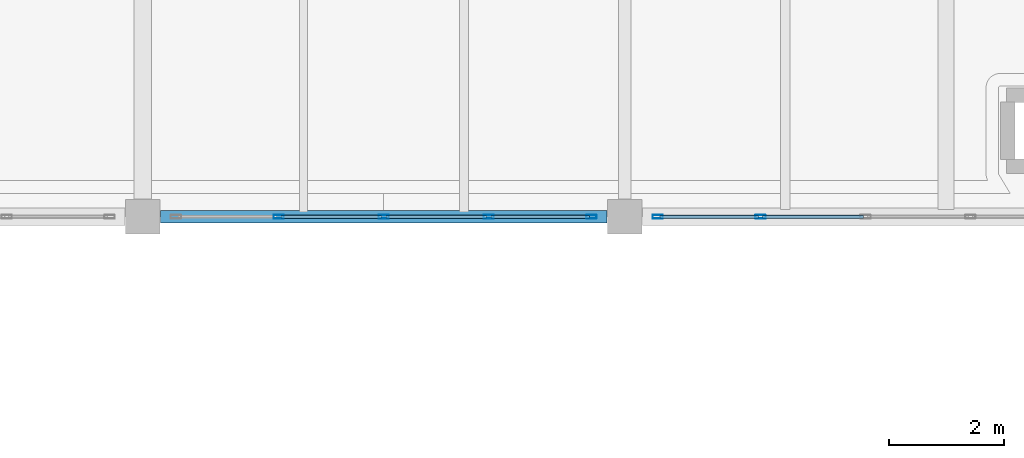
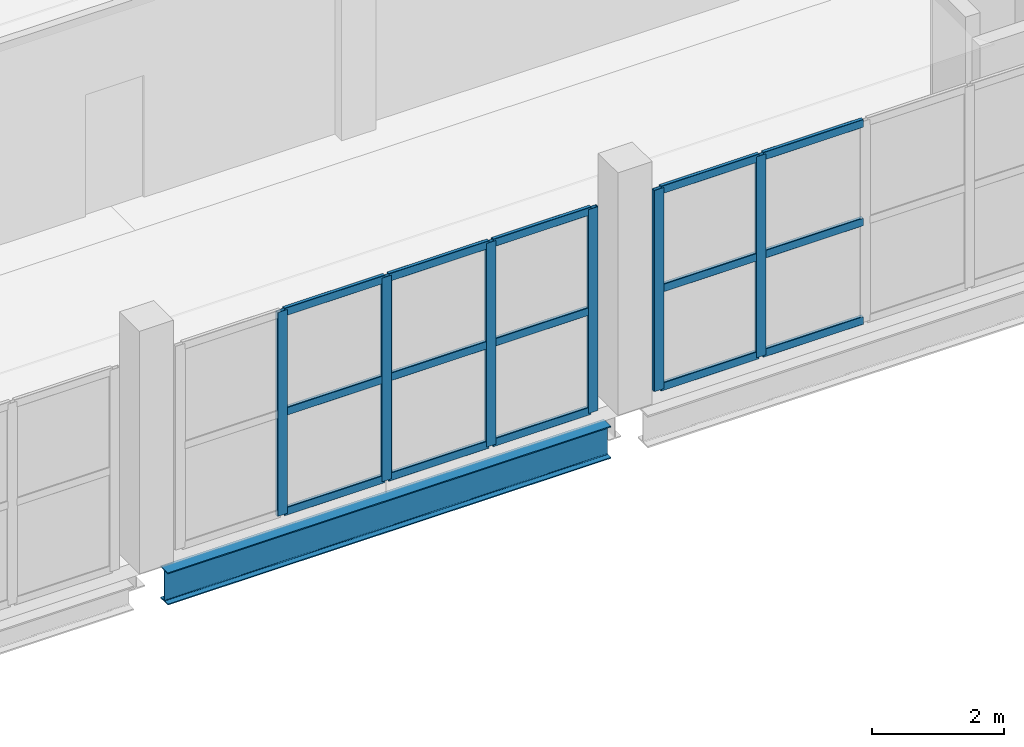
# One storey, part 31 of 54: 21 members, 1 beam, 2 elements without a shape of their own.
"""IFC4 building model written with IfcOpenShell, lengths in metres."""

from ifc_helpers import new_model, si_unit, direction, frame, origin, origin_2d, place, context, subcontext, project, spatial, hollow_rectangle, i_section, extrude, material, layer, layer_set, material_profile, profile_set, type_object, element, aggregate, save


model = new_model("IFC4")

# Units and contexts
model_context = context("Model", 3, precision=1e-05, world=origin(), true_north=direction((0.0, 1.0)))
body_context = subcontext(model_context, "Body", "Model", "MODEL_VIEW")
ifc_project = project(units=[si_unit("LENGTHUNIT", "METRE"), si_unit("AREAUNIT", "SQUARE_METRE"), si_unit("VOLUMEUNIT", "CUBIC_METRE"), si_unit("PLANEANGLEUNIT", "RADIAN"), si_unit("MASSUNIT", "GRAM", prefix="KILO")], contexts=[model_context])

# Site, building, storey
site_placement = place(None, origin())
site = spatial("IfcSite", under=ifc_project, at=site_placement, CompositionType="ELEMENT")
building_placement = place(site_placement, origin())
building = spatial("IfcBuilding", under=site, at=building_placement, Name="Zulmaris Art Gallery", CompositionType="ELEMENT")
storey_placement = place(building_placement, frame((0.0, 0.0, 26.39990234375)))
storey = spatial("IfcBuildingStorey", under=building, at=storey_placement, Name="L05", CompositionType="ELEMENT", Elevation=26.39990234375)

# Beam
ifc_material_1 = material(Name="Steel S355J2", Category="steel")
ifc_material_profile_1 = material_profile(ifc_material_1, i_section(OverallWidth=0.219970703125, OverallDepth=0.60009765625, WebThickness=0.011962890625, FlangeThickness=0.01904296875, FilletRadius=0.02392578125, at=origin_2d()), Name="IPE 600")
ifc_profile_set_1 = profile_set([ifc_material_profile_1], Name="Steel S355J2")
beam_type = type_object("IfcBeamType", Name="BEAM-BM07", PredefinedType="BEAM", material=ifc_profile_set_1)
beam_placement = place(storey_placement, frame((167.110107421875, 58.800048828125, -0.60986328125), z_axis=(1.0, 0.0, 0.0), x_axis=(0.0, 1.0, 0.0)))
element("IfcBeam", 1, at=beam_placement, inside=storey, type_object=beam_type, Name="L05 X-girder (166.8..175.2, y=58.8)", PredefinedType="BEAM", context=body_context, shape_type="SweptSolid", body=[
    extrude(i_section(OverallWidth=0.219970703125, OverallDepth=0.60009765625, WebThickness=0.011962890625, FlangeThickness=0.01904296875, FilletRadius=0.02392578125, at=origin_2d()), origin(), (0.0, 0.0, 1.0), 7.77978515625),
])

# Curtain wall, members
ifc_material_2 = material(Name="Courtyard Artists Studio Curtain Wall", Category="aluminium")
ifc_layer = layer(ifc_material_2, 0.179931640625)
ifc_layer_set = layer_set([ifc_layer], Name="Courtyard Artists Studio Curtain Wall")
curtain_wall_type = type_object("IfcCurtainWallType", Name="CW-CW04", PredefinedType="NOTDEFINED", material=ifc_layer_set)
curtain_wall_1_placement = place(storey_placement, origin())
curtain_wall_1 = element("IfcCurtainWall", 2, at=curtain_wall_1_placement, inside=storey, type_object=curtain_wall_type, Name="L05 curtain wall 169", PredefinedType="NOTDEFINED")
ifc_material_3 = material(Name="Anodised Bronze Aluminium", Category="aluminium")
ifc_material_profile_2 = material_profile(ifc_material_3, hollow_rectangle(XDim=0.06494140625, YDim=0.179931640625, WallThickness=0.00390625, InnerFilletRadius=0.006103515625, OuterFilletRadius=0.010009765625, at=origin_2d()), Name="ALU 65x180x4")
ifc_profile_set_2 = profile_set([ifc_material_profile_2], Name="Anodised Bronze Aluminium")
member_type_1 = type_object("IfcMemberType", Name="CWMUL-01", PredefinedType="MULLION", material=ifc_profile_set_2)
member_1_placement = place(storey_placement, frame((174.62255859375, 58.800048828125, 0.0), z_axis=(0.0, 0.0, 1.0), x_axis=(0.0, -1.0, 0.0)))
member_1 = element("IfcMember", 3, at=member_1_placement, type_object=member_type_1, Name="CW04 mullion 1", PredefinedType="MULLION", context=body_context, shape_type="SweptSolid", body=[
    extrude(hollow_rectangle(XDim=0.06494140625, YDim=0.179931640625, WallThickness=0.00390625, InnerFilletRadius=0.006103515625, OuterFilletRadius=0.010009765625, at=origin_2d()), origin(), (0.0, 0.0, 1.0), 3.780029296875),
])
member_2_placement = place(storey_placement, frame((172.830078125, 58.800048828125, 0.0), z_axis=(0.0, 0.0, 1.0), x_axis=(0.0, -1.0, 0.0)))
member_2 = element("IfcMember", 4, at=member_2_placement, type_object=member_type_1, Name="CW04 mullion 2", PredefinedType="MULLION", context=body_context, shape_type="SweptSolid", body=[
    extrude(hollow_rectangle(XDim=0.06494140625, YDim=0.179931640625, WallThickness=0.00390625, InnerFilletRadius=0.006103515625, OuterFilletRadius=0.010009765625, at=origin_2d()), origin(), (0.0, 0.0, 1.0), 3.780029296875),
])
member_3_placement = place(storey_placement, frame((171.0, 58.800048828125, 0.0), z_axis=(0.0, 0.0, 1.0), x_axis=(0.0, -1.0, 0.0)))
member_3 = element("IfcMember", 5, at=member_3_placement, type_object=member_type_1, Name="CW04 mullion 3", PredefinedType="MULLION", context=body_context, shape_type="SweptSolid", body=[
    extrude(hollow_rectangle(XDim=0.06494140625, YDim=0.179931640625, WallThickness=0.00390625, InnerFilletRadius=0.006103515625, OuterFilletRadius=0.010009765625, at=origin_2d()), origin(), (0.0, 0.0, 1.0), 3.780029296875),
])
member_4_placement = place(storey_placement, frame((169.169921875, 58.800048828125, 0.0), z_axis=(0.0, 0.0, 1.0), x_axis=(0.0, -1.0, 0.0)))
member_4 = element("IfcMember", 6, at=member_4_placement, type_object=member_type_1, Name="CW04 mullion 4", PredefinedType="MULLION", context=body_context, shape_type="SweptSolid", body=[
    extrude(hollow_rectangle(XDim=0.06494140625, YDim=0.179931640625, WallThickness=0.00390625, InnerFilletRadius=0.006103515625, OuterFilletRadius=0.010009765625, at=origin_2d()), origin(), (0.0, 0.0, 1.0), 3.780029296875),
])

curtain_wall_2_placement = place(storey_placement, origin())
curtain_wall_2 = element("IfcCurtainWall", 7, at=curtain_wall_2_placement, inside=storey, type_object=curtain_wall_type, Name="L05 curtain wall 170", PredefinedType="NOTDEFINED")
member_5_placement = place(storey_placement, frame((177.570068359375, 58.800048828125, 0.0), z_axis=(0.0, 0.0, 1.0), x_axis=(0.0, -1.0, 0.0)))
member_5 = element("IfcMember", 8, at=member_5_placement, type_object=member_type_1, Name="CW04 mullion 4", PredefinedType="MULLION", context=body_context, shape_type="SweptSolid", body=[
    extrude(hollow_rectangle(XDim=0.06494140625, YDim=0.179931640625, WallThickness=0.00390625, InnerFilletRadius=0.006103515625, OuterFilletRadius=0.010009765625, at=origin_2d()), origin(), (0.0, 0.0, 1.0), 3.72998046875),
])
member_6_placement = place(storey_placement, frame((175.777587890625, 58.800048828125, 0.0), z_axis=(0.0, 0.0, 1.0), x_axis=(0.0, -1.0, 0.0)))
member_6 = element("IfcMember", 9, at=member_6_placement, type_object=member_type_1, Name="CW04 mullion 5", PredefinedType="MULLION", context=body_context, shape_type="SweptSolid", body=[
    extrude(hollow_rectangle(XDim=0.06494140625, YDim=0.179931640625, WallThickness=0.00390625, InnerFilletRadius=0.006103515625, OuterFilletRadius=0.010009765625, at=origin_2d()), origin(), (0.0, 0.0, 1.0), 3.72998046875),
])

# Member
ifc_material_profile_3 = material_profile(ifc_material_3, hollow_rectangle(XDim=0.06494140625, YDim=0.14990234375, WallThickness=0.00390625, InnerFilletRadius=0.006103515625, OuterFilletRadius=0.010009765625, at=origin_2d()), Name="ALU 65x150x4")
ifc_profile_set_3 = profile_set([ifc_material_profile_3], Name="Anodised Bronze Aluminium")
member_type_2 = type_object("IfcMemberType", Name="CWTRN-01", PredefinedType="USERDEFINED", material=ifc_profile_set_3)
member_7_placement = place(storey_placement, frame((174.5849609375, 58.800048828125, 0.03759765625), z_axis=(-1.0, 0.0, 0.0), x_axis=(0.0, -1.0, 0.0)))
member_7 = element("IfcMember", 10, at=member_7_placement, type_object=member_type_2, Name="CW04 transom 1.1", ObjectType="TRANSOM", PredefinedType="USERDEFINED", context=body_context, shape_type="SweptSolid", body=[
    extrude(hollow_rectangle(XDim=0.06494140625, YDim=0.14990234375, WallThickness=0.00390625, InnerFilletRadius=0.006103515625, OuterFilletRadius=0.010009765625, at=origin_2d()), origin(), (0.0, 0.0, 1.0), 1.717529296875),
])

member_8_placement = place(storey_placement, frame((174.5849609375, 58.800048828125, 1.89013671875), z_axis=(-1.0, 0.0, 0.0), x_axis=(0.0, -1.0, 0.0)))
member_8 = element("IfcMember", 11, at=member_8_placement, type_object=member_type_2, Name="CW04 transom 1.2", ObjectType="TRANSOM", PredefinedType="USERDEFINED", context=body_context, shape_type="SweptSolid", body=[
    extrude(hollow_rectangle(XDim=0.06494140625, YDim=0.14990234375, WallThickness=0.00390625, InnerFilletRadius=0.006103515625, OuterFilletRadius=0.010009765625, at=origin_2d()), origin(), (0.0, 0.0, 1.0), 1.717529296875),
])

member_9_placement = place(storey_placement, frame((174.5849609375, 58.800048828125, 3.74267578125), z_axis=(-1.0, 0.0, 0.0), x_axis=(0.0, -1.0, 0.0)))
member_9 = element("IfcMember", 12, at=member_9_placement, type_object=member_type_2, Name="CW04 transom 1.3", ObjectType="TRANSOM", PredefinedType="USERDEFINED", context=body_context, shape_type="SweptSolid", body=[
    extrude(hollow_rectangle(XDim=0.06494140625, YDim=0.14990234375, WallThickness=0.00390625, InnerFilletRadius=0.006103515625, OuterFilletRadius=0.010009765625, at=origin_2d()), origin(), (0.0, 0.0, 1.0), 1.717529296875),
])

member_10_placement = place(storey_placement, frame((172.79248046875, 58.800048828125, 0.03759765625), z_axis=(-1.0, 0.0, 0.0), x_axis=(0.0, -1.0, 0.0)))
member_10 = element("IfcMember", 13, at=member_10_placement, type_object=member_type_2, Name="CW04 transom 2.1", ObjectType="TRANSOM", PredefinedType="USERDEFINED", context=body_context, shape_type="SweptSolid", body=[
    extrude(hollow_rectangle(XDim=0.06494140625, YDim=0.14990234375, WallThickness=0.00390625, InnerFilletRadius=0.006103515625, OuterFilletRadius=0.010009765625, at=origin_2d()), origin(), (0.0, 0.0, 1.0), 1.7548828125),
])

member_11_placement = place(storey_placement, frame((172.79248046875, 58.800048828125, 1.89013671875), z_axis=(-1.0, 0.0, 0.0), x_axis=(0.0, -1.0, 0.0)))
member_11 = element("IfcMember", 14, at=member_11_placement, type_object=member_type_2, Name="CW04 transom 2.2", ObjectType="TRANSOM", PredefinedType="USERDEFINED", context=body_context, shape_type="SweptSolid", body=[
    extrude(hollow_rectangle(XDim=0.06494140625, YDim=0.14990234375, WallThickness=0.00390625, InnerFilletRadius=0.006103515625, OuterFilletRadius=0.010009765625, at=origin_2d()), origin(), (0.0, 0.0, 1.0), 1.7548828125),
])

member_12_placement = place(storey_placement, frame((172.79248046875, 58.800048828125, 3.74267578125), z_axis=(-1.0, 0.0, 0.0), x_axis=(0.0, -1.0, 0.0)))
member_12 = element("IfcMember", 15, at=member_12_placement, type_object=member_type_2, Name="CW04 transom 2.3", ObjectType="TRANSOM", PredefinedType="USERDEFINED", context=body_context, shape_type="SweptSolid", body=[
    extrude(hollow_rectangle(XDim=0.06494140625, YDim=0.14990234375, WallThickness=0.00390625, InnerFilletRadius=0.006103515625, OuterFilletRadius=0.010009765625, at=origin_2d()), origin(), (0.0, 0.0, 1.0), 1.7548828125),
])

member_13_placement = place(storey_placement, frame((170.96240234375, 58.800048828125, 0.03759765625), z_axis=(-1.0, 0.0, 0.0), x_axis=(0.0, -1.0, 0.0)))
member_13 = element("IfcMember", 16, at=member_13_placement, type_object=member_type_2, Name="CW04 transom 3.1", ObjectType="TRANSOM", PredefinedType="USERDEFINED", context=body_context, shape_type="SweptSolid", body=[
    extrude(hollow_rectangle(XDim=0.06494140625, YDim=0.14990234375, WallThickness=0.00390625, InnerFilletRadius=0.006103515625, OuterFilletRadius=0.010009765625, at=origin_2d()), origin(), (0.0, 0.0, 1.0), 1.7548828125),
])

member_14_placement = place(storey_placement, frame((170.96240234375, 58.800048828125, 1.89013671875), z_axis=(-1.0, 0.0, 0.0), x_axis=(0.0, -1.0, 0.0)))
member_14 = element("IfcMember", 17, at=member_14_placement, type_object=member_type_2, Name="CW04 transom 3.2", ObjectType="TRANSOM", PredefinedType="USERDEFINED", context=body_context, shape_type="SweptSolid", body=[
    extrude(hollow_rectangle(XDim=0.06494140625, YDim=0.14990234375, WallThickness=0.00390625, InnerFilletRadius=0.006103515625, OuterFilletRadius=0.010009765625, at=origin_2d()), origin(), (0.0, 0.0, 1.0), 1.7548828125),
])

member_15_placement = place(storey_placement, frame((170.96240234375, 58.800048828125, 3.74267578125), z_axis=(-1.0, 0.0, 0.0), x_axis=(0.0, -1.0, 0.0)))
member_15 = element("IfcMember", 18, at=member_15_placement, type_object=member_type_2, Name="CW04 transom 3.3", ObjectType="TRANSOM", PredefinedType="USERDEFINED", context=body_context, shape_type="SweptSolid", body=[
    extrude(hollow_rectangle(XDim=0.06494140625, YDim=0.14990234375, WallThickness=0.00390625, InnerFilletRadius=0.006103515625, OuterFilletRadius=0.010009765625, at=origin_2d()), origin(), (0.0, 0.0, 1.0), 1.7548828125),
])

aggregate(curtain_wall_1, [member_1, member_2, member_3, member_4, member_7, member_8, member_9, member_10, member_11, member_12, member_13, member_14, member_15])

member_16_placement = place(storey_placement, frame((179.362548828125, 58.800048828125, 0.03759765625), z_axis=(-1.0, 0.0, 0.0), x_axis=(0.0, -1.0, 0.0)))
member_16 = element("IfcMember", 19, at=member_16_placement, type_object=member_type_2, Name="CW04 transom 3.1", ObjectType="TRANSOM", PredefinedType="USERDEFINED", context=body_context, shape_type="SweptSolid", body=[
    extrude(hollow_rectangle(XDim=0.06494140625, YDim=0.14990234375, WallThickness=0.00390625, InnerFilletRadius=0.006103515625, OuterFilletRadius=0.010009765625, at=origin_2d()), origin(), (0.0, 0.0, 1.0), 1.755126953125),
])

member_17_placement = place(storey_placement, frame((179.362548828125, 58.800048828125, 1.864990234375), z_axis=(-1.0, 0.0, 0.0), x_axis=(0.0, -1.0, 0.0)))
member_17 = element("IfcMember", 20, at=member_17_placement, type_object=member_type_2, Name="CW04 transom 3.2", ObjectType="TRANSOM", PredefinedType="USERDEFINED", context=body_context, shape_type="SweptSolid", body=[
    extrude(hollow_rectangle(XDim=0.06494140625, YDim=0.14990234375, WallThickness=0.00390625, InnerFilletRadius=0.006103515625, OuterFilletRadius=0.010009765625, at=origin_2d()), origin(), (0.0, 0.0, 1.0), 1.755126953125),
])

member_18_placement = place(storey_placement, frame((179.362548828125, 58.800048828125, 3.692626953125), z_axis=(-1.0, 0.0, 0.0), x_axis=(0.0, -1.0, 0.0)))
member_18 = element("IfcMember", 21, at=member_18_placement, type_object=member_type_2, Name="CW04 transom 3.3", ObjectType="TRANSOM", PredefinedType="USERDEFINED", context=body_context, shape_type="SweptSolid", body=[
    extrude(hollow_rectangle(XDim=0.06494140625, YDim=0.14990234375, WallThickness=0.00390625, InnerFilletRadius=0.006103515625, OuterFilletRadius=0.010009765625, at=origin_2d()), origin(), (0.0, 0.0, 1.0), 1.755126953125),
])

member_19_placement = place(storey_placement, frame((177.532470703125, 58.800048828125, 0.03759765625), z_axis=(-1.0, 0.0, 0.0), x_axis=(0.0, -1.0, 0.0)))
member_19 = element("IfcMember", 22, at=member_19_placement, type_object=member_type_2, Name="CW04 transom 4.1", ObjectType="TRANSOM", PredefinedType="USERDEFINED", context=body_context, shape_type="SweptSolid", body=[
    extrude(hollow_rectangle(XDim=0.06494140625, YDim=0.14990234375, WallThickness=0.00390625, InnerFilletRadius=0.006103515625, OuterFilletRadius=0.010009765625, at=origin_2d()), origin(), (0.0, 0.0, 1.0), 1.717529296875),
])

member_20_placement = place(storey_placement, frame((177.532470703125, 58.800048828125, 1.864990234375), z_axis=(-1.0, 0.0, 0.0), x_axis=(0.0, -1.0, 0.0)))
member_20 = element("IfcMember", 23, at=member_20_placement, type_object=member_type_2, Name="CW04 transom 4.2", ObjectType="TRANSOM", PredefinedType="USERDEFINED", context=body_context, shape_type="SweptSolid", body=[
    extrude(hollow_rectangle(XDim=0.06494140625, YDim=0.14990234375, WallThickness=0.00390625, InnerFilletRadius=0.006103515625, OuterFilletRadius=0.010009765625, at=origin_2d()), origin(), (0.0, 0.0, 1.0), 1.717529296875),
])

member_21_placement = place(storey_placement, frame((177.532470703125, 58.800048828125, 3.692626953125), z_axis=(-1.0, 0.0, 0.0), x_axis=(0.0, -1.0, 0.0)))
member_21 = element("IfcMember", 24, at=member_21_placement, type_object=member_type_2, Name="CW04 transom 4.3", ObjectType="TRANSOM", PredefinedType="USERDEFINED", context=body_context, shape_type="SweptSolid", body=[
    extrude(hollow_rectangle(XDim=0.06494140625, YDim=0.14990234375, WallThickness=0.00390625, InnerFilletRadius=0.006103515625, OuterFilletRadius=0.010009765625, at=origin_2d()), origin(), (0.0, 0.0, 1.0), 1.717529296875),
])

aggregate(curtain_wall_2, [member_5, member_6, member_16, member_17, member_18, member_19, member_20, member_21])

save(model, "model.ifc")
